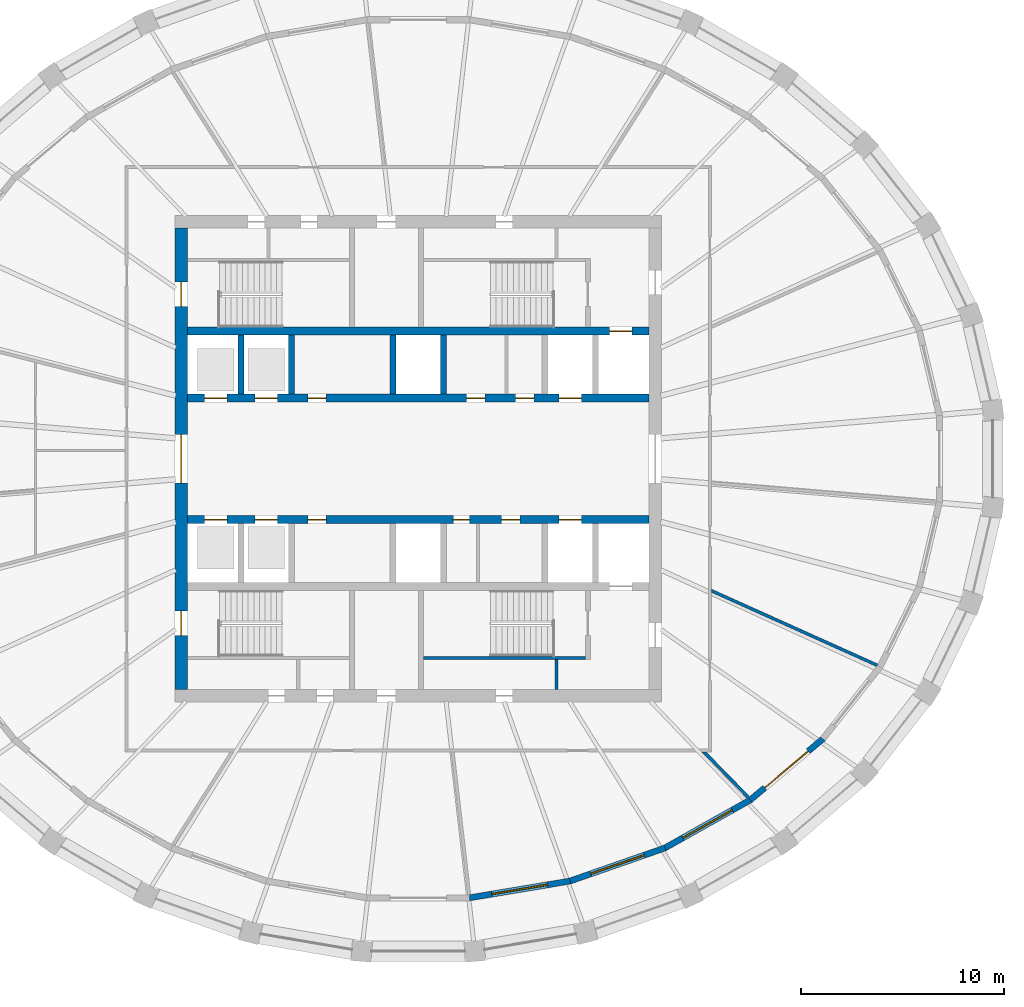
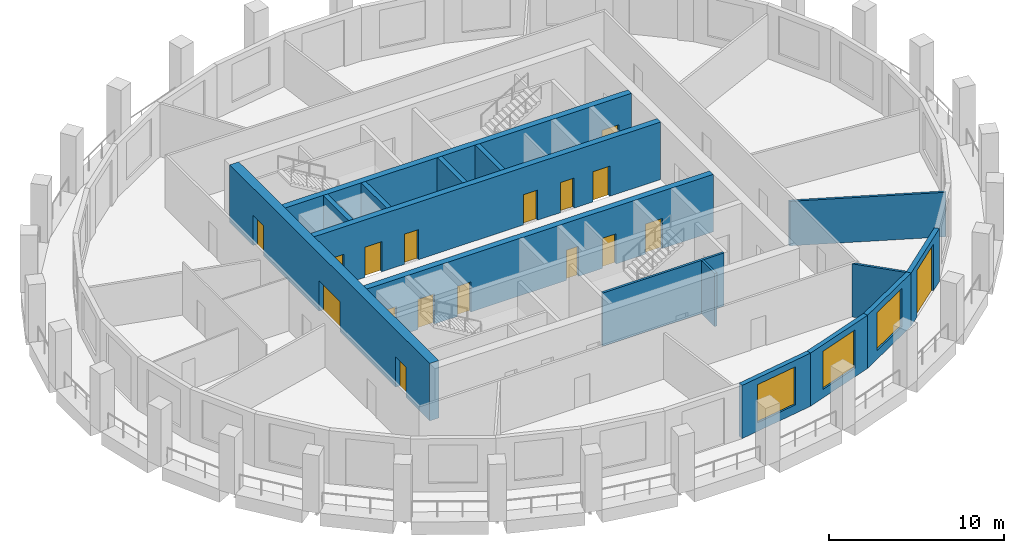
# One storey, part 4 of 10: 17 doors, 16 walls, 3 windows, 20 openings.
"""IFC4 building model written with IfcOpenShell, lengths in metres."""

import ifcopenshell
import ifcopenshell.guid

model = None  # the IFC model being written
_history = None  # IfcOwnerHistory: only IFC2X3 demands one
_inside = {}  # id of a spatial element -> (the spatial element, [elements in it])
_under = {}  # id of a project, library or spatial element -> (it, [spatial elements below it])
_declared = {}  # id of a project -> (the project, [libraries it declares])
_typed = {}  # id of a type object -> (the type object, [elements of that type])
_made_of = {}  # id of a material, layer set ... -> (it, [elements and type objects made of it])


def new_model(schema):
    """Start an empty IFC model of exactly this schema.

    Asked for "IFC4X3", IfcOpenShell would pick the latest addendum, in which some entities
    have other attributes; the version numbers below select the first issue.
    IFC2X3 requires an IfcOwnerHistory on every rooted entity: one is made here for all.
    """
    global model, _history
    if schema == "IFC4X3":
        model = ifcopenshell.file(schema_version=(4, 3, 0, 0))
    else:
        model = ifcopenshell.file(schema=schema)
    _inside.clear()
    _under.clear()
    _declared.clear()
    _typed.clear()
    _made_of.clear()
    _history = None
    if model.schema == "IFC2X3":
        org = make("IfcOrganization", Name="unknown")
        user = make(
            "IfcPersonAndOrganization",
            ThePerson=make("IfcPerson", FamilyName="unknown"),
            TheOrganization=org,
        )
        app = make(
            "IfcApplication",
            ApplicationDeveloper=org,
            Version="unknown",
            ApplicationFullName="unknown",
            ApplicationIdentifier="unknown",
        )
        _history = make(
            "IfcOwnerHistory",
            OwningUser=user,
            OwningApplication=app,
            ChangeAction="ADDED",
            CreationDate=0,
        )
    return model


def make(cls, **values):
    """One entity of the class cls with the attributes given. An attribute that is None is left unset."""
    return model.create_entity(
        cls, **{name: value for name, value in values.items() if value is not None}
    )


def rooted(cls, **values):
    """An entity with a GlobalId (a new one), such as an element, a storey or a relation."""
    return make(cls, GlobalId=ifcopenshell.guid.new(), OwnerHistory=_history, **values)


def si_unit(unit_type, name, prefix=None):
    """IfcSIUnit, for example si_unit("LENGTHUNIT", "METRE", prefix="MILLI")."""
    return make("IfcSIUnit", UnitType=unit_type, Prefix=prefix, Name=name)


def assignment(units):
    """IfcUnitAssignment: the units of a project."""
    return None if units is None else make("IfcUnitAssignment", Units=units)


def point(xyz):
    """IfcCartesianPoint."""
    return None if xyz is None else make("IfcCartesianPoint", Coordinates=xyz)


def direction(xyz):
    """IfcDirection."""
    return None if xyz is None else make("IfcDirection", DirectionRatios=xyz)


def frame(location, z_axis=None, x_axis=None):
    """IfcAxis2Placement3D, a coordinate frame: its origin and axes. An axis left out is left unset."""
    return make(
        "IfcAxis2Placement3D",
        Location=point(location),
        Axis=direction(z_axis),
        RefDirection=direction(x_axis),
    )


def frame_2d(location, x_axis=None):
    """IfcAxis2Placement2D, a coordinate frame in the plane: its origin and x axis."""
    return make(
        "IfcAxis2Placement2D", Location=point(location), RefDirection=direction(x_axis)
    )


def origin():
    """The frame at (0, 0, 0) with its axes left unset."""
    return frame((0.0, 0.0, 0.0))


def place(relative_to, where):
    """IfcLocalPlacement: puts the frame where relative to a parent placement (None: the world)."""
    return make(
        "IfcLocalPlacement", PlacementRelTo=relative_to, RelativePlacement=where
    )


def context(
    kind, dimensions, precision=None, world=None, true_north=None, identifier=None
):
    """IfcGeometricRepresentationContext, for example the 3D "Model" context."""
    return make(
        "IfcGeometricRepresentationContext",
        ContextIdentifier=identifier,
        ContextType=kind,
        CoordinateSpaceDimension=dimensions,
        Precision=precision,
        WorldCoordinateSystem=world,
        TrueNorth=true_north,
    )


def subcontext(parent, identifier, kind, view, scale=None):
    """IfcGeometricRepresentationSubContext, for example "Body" below "Model"."""
    return make(
        "IfcGeometricRepresentationSubContext",
        ContextIdentifier=identifier,
        ContextType=kind,
        ParentContext=parent,
        TargetScale=scale,
        TargetView=view,
    )


def project(units=None, contexts=None):
    """IfcProject with its units and contexts."""
    return rooted(
        "IfcProject",
        Name="project",
        RepresentationContexts=contexts,
        UnitsInContext=assignment(units),
    )


def spatial(cls, under=None, at=None, **own):
    """A site, building, storey or space (cls), placed at a placement, below another one or the project."""
    s = rooted(cls, ObjectPlacement=at, **own)
    if under is not None:
        _under.setdefault(under.id(), (under, []))[1].append(s)
    return s


def polyline(points):
    """IfcPolyline through the points."""
    return make("IfcPolyline", Points=[point(p) for p in points])


def profile(cls, at=None, kind="AREA", **sizes):
    """A parametric profile (cls). Its sizes go by their IFC names, for example OverallWidth=200.0."""
    return make(cls, ProfileType=kind, Position=at, **sizes)


def rectangle(**sizes):
    """IfcRectangleProfileDef."""
    return profile("IfcRectangleProfileDef", **sizes)


def outline(outer, holes=None, kind="AREA"):
    """IfcArbitraryClosedProfileDef: a profile drawn as a closed curve; with holes, ...WithVoids."""
    if holes is None:
        return make("IfcArbitraryClosedProfileDef", ProfileType=kind, OuterCurve=outer)
    return make(
        "IfcArbitraryProfileDefWithVoids",
        ProfileType=kind,
        OuterCurve=outer,
        InnerCurves=holes,
    )


def extrude(swept, where, along, depth):
    """IfcExtrudedAreaSolid: the profile swept, set in the frame where, extruded along a direction by depth."""
    return make(
        "IfcExtrudedAreaSolid",
        SweptArea=swept,
        Position=where,
        ExtrudedDirection=direction(along),
        Depth=depth,
    )


def shape(context_of_items, identifier, shape_type, items):
    """IfcShapeRepresentation: the items that make up one representation, for example the "Body"."""
    return make(
        "IfcShapeRepresentation",
        ContextOfItems=context_of_items,
        RepresentationIdentifier=identifier,
        RepresentationType=shape_type,
        Items=items,
    )


def material(Name=None, Category=None):
    """IfcMaterial."""
    return make("IfcMaterial", Name=Name, Category=Category)


def layer(
    of_material, thickness, ventilated=None, Name=None, Category=None, Priority=None
):
    """IfcMaterialLayer: one layer of a wall or slab, of a material (None: an air gap)."""
    return make(
        "IfcMaterialLayer",
        Material=of_material,
        LayerThickness=thickness,
        IsVentilated=ventilated,
        Name=Name,
        Category=Category,
        Priority=Priority,
    )


def layer_set(layers, Name=None):
    """IfcMaterialLayerSet."""
    return make("IfcMaterialLayerSet", MaterialLayers=layers, LayerSetName=Name)


def made_of(thing, what):
    """Note that an element or type object is made of a material, layer set ...; save() writes the relation."""
    if what is not None:
        _made_of.setdefault(what.id(), (what, []))[1].append(thing)
    return thing


def type_object(cls, material=None, **own):
    """A type object (cls), such as IfcWallType, which elements share."""
    return made_of(rooted(cls, **own), material)


def element(
    cls,
    number,
    at=None,
    inside=None,
    cuts=None,
    type_object=None,
    material=None,
    context=None,
    identifier="Body",
    shape_type=None,
    held_by="IfcProductDefinitionShape",
    body=None,
    shapes=None,
    **own,
):
    """One element of the class cls, such as IfcWall. Its Tag is "e" and its number.

    at: its placement. inside: the storey or other place that contains it. cuts: it is an
    opening in that element (IfcRelVoidsElement). A single representation is given by context,
    identifier, shape_type and body (its items); several are given by shapes. held_by: the class
    of the entity that holds the representations. save() writes the other relations.
    """
    e = rooted(cls, Tag="e%d" % number, ObjectPlacement=at, **own)
    if body is not None:
        shapes = [shape(context, identifier, shape_type, body)]
    if shapes is not None:
        e.Representation = make(held_by, Representations=shapes)
    if inside is not None:
        _inside.setdefault(inside.id(), (inside, []))[1].append(e)
    if cuts is not None:
        rooted(
            "IfcRelVoidsElement", RelatingBuildingElement=cuts, RelatedOpeningElement=e
        )
    if type_object is not None:
        _typed.setdefault(type_object.id(), (type_object, []))[1].append(e)
    return made_of(e, material)


def fill(opening, filler):
    """IfcRelFillsElement: the door or window that sits in an opening."""
    return rooted(
        "IfcRelFillsElement",
        RelatingOpeningElement=opening,
        RelatedBuildingElement=filler,
    )


def aggregate(whole, parts):
    """IfcRelAggregates: a whole, such as a stair, and the parts it consists of."""
    return rooted("IfcRelAggregates", RelatingObject=whole, RelatedObjects=parts)


def save(model, path):
    """Write the relations noted so far, then the file.

    IfcRelAggregates (storeys below a building ...), IfcRelContainedInSpatialStructure (elements
    in a storey), IfcRelDefinesByType, IfcRelAssociatesMaterial and IfcRelDeclares: one each for
    every whole, place, type object, material and project.
    """
    for whole, parts in _under.values():
        aggregate(whole, parts)
    for where, things in _inside.values():
        rooted(
            "IfcRelContainedInSpatialStructure",
            RelatedElements=things,
            RelatingStructure=where,
        )
    for kind, things in _typed.values():
        rooted("IfcRelDefinesByType", RelatedObjects=things, RelatingType=kind)
    for what, things in _made_of.values():
        rooted("IfcRelAssociatesMaterial", RelatedObjects=things, RelatingMaterial=what)
    for by, libraries in _declared.values():
        rooted("IfcRelDeclares", RelatingContext=by, RelatedDefinitions=libraries)
    model.write(path)


model = new_model("IFC4")

# Units and contexts
model_context = context("Model", 3, precision=1e-05, world=origin(), true_north=direction((0.0, 1.0)))
body_context = subcontext(model_context, "Body", "Model", "MODEL_VIEW")
ifc_project = project(units=[si_unit("LENGTHUNIT", "METRE"), si_unit("AREAUNIT", "SQUARE_METRE"), si_unit("VOLUMEUNIT", "CUBIC_METRE"), si_unit("PLANEANGLEUNIT", "RADIAN"), si_unit("MASSUNIT", "GRAM", prefix="KILO")], contexts=[model_context])

# Site, building, storey
site_placement = place(None, origin())
site = spatial("IfcSite", under=ifc_project, at=site_placement, CompositionType="ELEMENT")
building_placement = place(site_placement, origin())
building = spatial("IfcBuilding", under=site, at=building_placement, Name="Halqa Exchange Tower", CompositionType="ELEMENT")
storey_placement = place(building_placement, frame((0.0, 0.0, 320.300048828125)))
storey = spatial("IfcBuildingStorey", under=building, at=storey_placement, Name="L75", CompositionType="ELEMENT", Elevation=320.300048828125)

# Walls
ifc_material_1 = material(Name="Fire-rated gypsum board")
ifc_layer_1 = layer(ifc_material_1, 0.14990234375)
ifc_layer_set_1 = layer_set([ifc_layer_1], Name="Fire-rated gypsum board")
wall_type_1 = type_object("IfcWallType", Name="Fire partition EI 60 150", PredefinedType="PARTITIONING", material=ifc_layer_set_1)
wall_1_placement = place(storey_placement, frame((14.0625, -14.4228515625, 0.0), z_axis=(0.0, 0.0, 1.0), x_axis=(0.698596457998, -0.715515890021, 0.0)))
element("IfcWall", 1, at=wall_1_placement, inside=storey, type_object=wall_type_1, Name="L75-PWL-014", PredefinedType="PARTITIONING", context=body_context, shape_type="SweptSolid", body=[
    extrude(outline(polyline([(0.0, -0.074951171875), (1.594482421875, -0.074951171875), (3.18896484375, -0.074951171875), (3.18896484375, -0.07470703125), (3.18896484375, 0.074951171875), (1.66748046875, 0.074951171875), (0.14599609375, 0.074951171875), (0.0, -0.07470703125), (0.0, -0.074951171875)])), origin(), (0.0, 0.0, 1.0), 3.699951171875),
])
wall_2_placement = place(storey_placement, frame((14.444580078125, -6.5, 0.0), z_axis=(0.0, 0.0, 1.0), x_axis=(0.912043070278, -0.410094425662, 0.0)))
element("IfcWall", 2, at=wall_2_placement, inside=storey, type_object=wall_type_1, Name="L75-PWL-016", PredefinedType="PARTITIONING", context=body_context, shape_type="SweptSolid", body=[
    extrude(outline(polyline([(0.067138671875, -0.074951171875), (1.8525390625, -0.074951171875), (3.637939453125, -0.074951171875), (5.42333984375, -0.074951171875), (7.208740234375, -0.074951171875), (8.994140625, -0.074951171875), (9.013427734375, 0.000732421875), (9.015625, 0.066162109375), (9.015625, 0.074951171875), (7.21240234375, 0.074951171875), (5.409423828125, 0.074951171875), (3.606201171875, 0.074951171875), (1.80322265625, 0.074951171875), (0.0, 0.074951171875), (0.0, 0.07421875), (0.067138671875, -0.074951171875)])), origin(), (0.0, 0.0, 1.0), 3.099853515625),
])
ifc_material_2 = material(Name="Gypsum board")
ifc_layer_2 = layer(ifc_material_2, 0.14990234375)
ifc_layer_set_2 = layer_set([ifc_layer_2], Name="Gypsum board")
wall_type_2 = type_object("IfcWallType", Name="Penthouse riser wall 150 gypsum", PredefinedType="PARTITIONING", material=ifc_layer_set_2)
wall_3_placement = place(storey_placement, frame((6.824951171875, -11.39990234375, 0.0), z_axis=(0.0, 0.0, 1.0), x_axis=(0.0, 1.0, 0.0)))
element("IfcWall", 3, at=wall_3_placement, inside=storey, type_object=wall_type_2, Name="Firefighting lobby west wall S", PredefinedType="PARTITIONING", context=body_context, shape_type="SweptSolid", body=[
    extrude(rectangle(XDim=1.5, YDim=0.14990234375, at=frame_2d((0.75, 0.0))), origin(), (0.0, 0.0, 1.0), 3.699951171875),
])
ifc_material_3 = material(Name="Concrete C60/75", Category="concrete")
ifc_layer_3 = layer(ifc_material_3, 0.300048828125)
ifc_layer_set_3 = layer_set([ifc_layer_3], Name="Concrete C60/75")
wall_type_3 = type_object("IfcWallType", Name="RC core wall 300", PredefinedType="SHEAR", material=ifc_layer_set_3)
for number, where, z_axis, x_axis, name in (
    (4, (-8.75, 3.199951171875, 0.0), (0.0, 0.0, 1.0), (0.0, 1.0, 0.0), "Shaft divider N1"),
    (5, (-6.25, 3.199951171875, 0.0), (0.0, 0.0, 1.0), (0.0, 1.0, 0.0), "Shaft divider N2"),
    (6, (-1.25, 3.199951171875, 0.0), (0.0, 0.0, 1.0), (0.0, 1.0, 0.0), "Shaft divider N4"),
    (7, (1.25, 3.199951171875, 0.0), (0.0, 0.0, 1.0), (0.0, 1.0, 0.0), "Shaft divider N5"),
):
    element("IfcWall", number, at=place(storey_placement, frame(where, z_axis=z_axis, x_axis=x_axis)), inside=storey, type_object=wall_type_3, Name=name, PredefinedType="SHEAR", context=body_context, shape_type="SweptSolid", body=[
        extrude(rectangle(XDim=2.900146484375, YDim=0.300048828125, at=frame_2d((1.4501953125, 0.0))), origin(), (0.0, 0.0, 1.0), 4.0),
    ])

# Wall, openings, doors
ifc_layer_4 = layer(ifc_material_3, 0.39990234375)
ifc_layer_set_4 = layer_set([ifc_layer_4], Name="Concrete C60/75")
wall_type_4 = type_object("IfcWallType", Name="RC core wall 400 C60/75", PredefinedType="SHEAR", material=ifc_layer_set_4)
wall_4_placement = place(storey_placement, frame((-11.39990234375, 3.0, 0.0), z_axis=(0.0, 0.0, 1.0), x_axis=(1.0, 0.0, 0.0)))
wall_4 = element("IfcWall", 8, at=wall_4_placement, inside=storey, type_object=wall_type_4, Name="Lift row front wall N", PredefinedType="SHEAR", context=body_context, shape_type="SweptSolid", body=[
    extrude(rectangle(XDim=22.7998046875, YDim=0.39990234375, at=frame_2d((11.39990234375, 0.0))), origin(), (0.0, 0.0, 1.0), 4.0),
])
opening_1_placement = place(wall_4_placement, frame((0.85009765625, 0.0, 0.0)))
opening_1 = element("IfcOpeningElement", 9, at=opening_1_placement, cuts=wall_4, Name="Opening LD-HR1-T23", PredefinedType="OPENING", context=body_context, shape_type="SweptSolid", body=[
    extrude(rectangle(XDim=1.10009765625, YDim=2.10009765625, at=frame_2d((0.550048828125, 1.050048828125))), frame((0.0, 0.2119140625, 0.0), z_axis=(0.0, -1.0, 0.0), x_axis=(1.0, 0.0, 0.0)), (0.0, 0.0, 1.0), 0.423828125),
])
opening_2_placement = place(wall_4_placement, frame((3.35009765625, 0.0, 0.0)))
opening_2 = element("IfcOpeningElement", 10, at=opening_2_placement, cuts=wall_4, Name="Opening LD-HR2-T23", PredefinedType="OPENING", context=body_context, shape_type="SweptSolid", body=[
    extrude(rectangle(XDim=1.10009765625, YDim=2.10009765625, at=frame_2d((0.550048828125, 1.050048828125))), frame((0.0, 0.2119140625, 0.0), z_axis=(0.0, -1.0, 0.0), x_axis=(1.0, 0.0, 0.0)), (0.0, 0.0, 1.0), 0.423828125),
])
opening_3_placement = place(wall_4_placement, frame((18.35009765625, 0.0, 0.0)))
opening_3 = element("IfcOpeningElement", 11, at=opening_3_placement, cuts=wall_4, Name="Opening LD-SV1-T23", PredefinedType="OPENING", context=body_context, shape_type="SweptSolid", body=[
    extrude(rectangle(XDim=1.10009765625, YDim=2.10009765625, at=frame_2d((0.550048828125, 1.050048828125))), frame((0.0, 0.2119140625, 0.0), z_axis=(0.0, -1.0, 0.0), x_axis=(1.0, 0.0, 0.0)), (0.0, 0.0, 1.0), 0.423828125),
])
opening_4_placement = place(wall_4_placement, frame((13.78759765625, 0.0, 0.0)))
opening_4 = element("IfcOpeningElement", 12, at=opening_4_placement, cuts=wall_4, Name="Opening T23-C25", PredefinedType="OPENING", context=body_context, shape_type="SweptSolid", body=[
    extrude(rectangle(XDim=0.89990234375, YDim=2.10009765625, at=frame_2d((0.449951171875, 1.050048828125))), frame((0.0, 0.2119140625, 0.0), z_axis=(0.0, -1.0, 0.0), x_axis=(1.0, 0.0, 0.0)), (0.0, 0.0, 1.0), 0.423828125),
])
opening_5_placement = place(wall_4_placement, frame((16.21240234375, 0.0, 0.0)))
opening_5 = element("IfcOpeningElement", 13, at=opening_5_placement, cuts=wall_4, Name="Opening T23-C26", PredefinedType="OPENING", context=body_context, shape_type="SweptSolid", body=[
    extrude(rectangle(XDim=0.89990234375, YDim=2.10009765625, at=frame_2d((0.449951171875, 1.050048828125))), frame((0.0, 0.2119140625, 0.0), z_axis=(0.0, -1.0, 0.0), x_axis=(1.0, 0.0, 0.0)), (0.0, 0.0, 1.0), 0.423828125),
])
opening_6_placement = place(wall_4_placement, frame((5.949951171875, 0.0, 0.0)))
opening_6 = element("IfcOpeningElement", 14, at=opening_6_placement, cuts=wall_4, Name="Opening T23-C27", PredefinedType="OPENING", context=body_context, shape_type="SweptSolid", body=[
    extrude(rectangle(XDim=0.89990234375, YDim=2.10009765625, at=frame_2d((0.449951171875, 1.050048828125))), frame((0.0, 0.2119140625, 0.0), z_axis=(0.0, -1.0, 0.0), x_axis=(1.0, 0.0, 0.0)), (0.0, 0.0, 1.0), 0.423828125),
])
ifc_material_4 = material(Name="Timber fire door leaf", Category="wood")
door_type_1 = type_object("IfcDoorType", Name="Core room door FD30 900 x 2100", OperationType="SINGLE_SWING_LEFT", PredefinedType="DOOR", material=ifc_material_4)
door_1_placement = place(opening_4_placement, origin())
door_1 = element("IfcDoor", 15, at=door_1_placement, inside=storey, type_object=door_type_1, Name="Core room door", OperationType="SINGLE_SWING_RIGHT", OverallHeight=2.10009765625, OverallWidth=0.89990234375, PredefinedType="DOOR", context=body_context, shape_type="SweptSolid", body=[
    extrude(rectangle(XDim=0.89990234375, YDim=2.10009765625, at=frame_2d((0.449951171875, 1.050048828125))), frame((0.0, 0.02490234375, 0.0), z_axis=(0.0, -1.0, 0.0), x_axis=(1.0, 0.0, 0.0)), (0.0, 0.0, 1.0), 0.050048828125),
])
fill(opening_4, door_1)
door_2_placement = place(opening_5_placement, origin())
door_2 = element("IfcDoor", 16, at=door_2_placement, inside=storey, type_object=door_type_1, Name="Core room door", OperationType="SINGLE_SWING_RIGHT", OverallHeight=2.10009765625, OverallWidth=0.89990234375, PredefinedType="DOOR", context=body_context, shape_type="SweptSolid", body=[
    extrude(rectangle(XDim=0.89990234375, YDim=2.10009765625, at=frame_2d((0.449951171875, 1.050048828125))), frame((0.0, 0.02490234375, 0.0), z_axis=(0.0, -1.0, 0.0), x_axis=(1.0, 0.0, 0.0)), (0.0, 0.0, 1.0), 0.050048828125),
])
fill(opening_5, door_2)
door_3_placement = place(opening_6_placement, origin())
door_3 = element("IfcDoor", 17, at=door_3_placement, inside=storey, type_object=door_type_1, Name="Core room door", OperationType="SINGLE_SWING_RIGHT", OverallHeight=2.10009765625, OverallWidth=0.89990234375, PredefinedType="DOOR", context=body_context, shape_type="SweptSolid", body=[
    extrude(rectangle(XDim=0.89990234375, YDim=2.10009765625, at=frame_2d((0.449951171875, 1.050048828125))), frame((0.0, 0.02490234375, 0.0), z_axis=(0.0, -1.0, 0.0), x_axis=(1.0, 0.0, 0.0)), (0.0, 0.0, 1.0), 0.050048828125),
])
fill(opening_6, door_3)
ifc_material_5 = material(Name="Stainless steel", Category="steel")
door_type_2 = type_object("IfcDoorType", Name="Lift landing door 1100 x 2100", OperationType="SLIDING_TO_LEFT", PredefinedType="DOOR", material=ifc_material_5)
door_4_placement = place(opening_1_placement, origin())
door_4 = element("IfcDoor", 18, at=door_4_placement, inside=storey, type_object=door_type_2, Name="Lift landing door HR1", OperationType="SLIDING_TO_LEFT", OverallHeight=2.10009765625, OverallWidth=1.10009765625, PredefinedType="DOOR", context=body_context, shape_type="SweptSolid", body=[
    extrude(rectangle(XDim=1.10009765625, YDim=2.10009765625, at=frame_2d((0.550048828125, 1.050048828125))), frame((0.0, 0.02490234375, 0.0), z_axis=(0.0, -1.0, 0.0), x_axis=(1.0, 0.0, 0.0)), (0.0, 0.0, 1.0), 0.050048828125),
])
fill(opening_1, door_4)
door_5_placement = place(opening_2_placement, origin())
door_5 = element("IfcDoor", 19, at=door_5_placement, inside=storey, type_object=door_type_2, Name="Lift landing door HR2", OperationType="SLIDING_TO_LEFT", OverallHeight=2.10009765625, OverallWidth=1.10009765625, PredefinedType="DOOR", context=body_context, shape_type="SweptSolid", body=[
    extrude(rectangle(XDim=1.10009765625, YDim=2.10009765625, at=frame_2d((0.550048828125, 1.050048828125))), frame((0.0, 0.02490234375, 0.0), z_axis=(0.0, -1.0, 0.0), x_axis=(1.0, 0.0, 0.0)), (0.0, 0.0, 1.0), 0.050048828125),
])
fill(opening_2, door_5)
door_6_placement = place(opening_3_placement, origin())
door_6 = element("IfcDoor", 20, at=door_6_placement, inside=storey, type_object=door_type_2, Name="Lift landing door SV1", OperationType="SLIDING_TO_LEFT", OverallHeight=2.10009765625, OverallWidth=1.10009765625, PredefinedType="DOOR", context=body_context, shape_type="SweptSolid", body=[
    extrude(rectangle(XDim=1.10009765625, YDim=2.10009765625, at=frame_2d((0.550048828125, 1.050048828125))), frame((0.0, 0.02490234375, 0.0), z_axis=(0.0, -1.0, 0.0), x_axis=(1.0, 0.0, 0.0)), (0.0, 0.0, 1.0), 0.050048828125),
])
fill(opening_3, door_6)

# Wall, opening, door
wall_5_placement = place(storey_placement, frame((-11.39990234375, 6.300048828125, 0.0), z_axis=(0.0, 0.0, 1.0), x_axis=(1.0, 0.0, 0.0)))
wall_5 = element("IfcWall", 21, at=wall_5_placement, inside=storey, type_object=wall_type_4, Name="Lift row back wall N", PredefinedType="SHEAR", context=body_context, shape_type="SweptSolid", body=[
    extrude(rectangle(XDim=22.7998046875, YDim=0.39990234375, at=frame_2d((11.39990234375, 0.0))), origin(), (0.0, 0.0, 1.0), 4.0),
])
opening_7_placement = place(wall_5_placement, frame((20.85009765625, 0.0, 0.0)))
opening_7 = element("IfcOpeningElement", 22, at=opening_7_placement, cuts=wall_5, Name="Opening LD-FF1-T23", PredefinedType="OPENING", context=body_context, shape_type="SweptSolid", body=[
    extrude(rectangle(XDim=1.10009765625, YDim=2.10009765625, at=frame_2d((0.550048828125, 1.050048828125))), frame((0.0, 0.2119140625, 0.0), z_axis=(0.0, -1.0, 0.0), x_axis=(1.0, 0.0, 0.0)), (0.0, 0.0, 1.0), 0.423828125),
])
door_7_placement = place(opening_7_placement, origin())
door_7 = element("IfcDoor", 23, at=door_7_placement, inside=storey, type_object=door_type_2, Name="Lift landing door FF1", OperationType="SLIDING_TO_LEFT", OverallHeight=2.10009765625, OverallWidth=1.10009765625, PredefinedType="DOOR", context=body_context, shape_type="SweptSolid", body=[
    extrude(rectangle(XDim=1.10009765625, YDim=2.10009765625, at=frame_2d((0.550048828125, 1.050048828125))), frame((0.0, 0.02490234375, 0.0), z_axis=(0.0, -1.0, 0.0), x_axis=(1.0, 0.0, 0.0)), (0.0, 0.0, 1.0), 0.050048828125),
])
fill(opening_7, door_7)

# Wall, openings, doors
wall_6_placement = place(storey_placement, frame((-11.39990234375, -3.0, 0.0), z_axis=(0.0, 0.0, 1.0), x_axis=(1.0, 0.0, 0.0)))
wall_6 = element("IfcWall", 24, at=wall_6_placement, inside=storey, type_object=wall_type_4, Name="Lift row front wall S", PredefinedType="SHEAR", context=body_context, shape_type="SweptSolid", body=[
    extrude(rectangle(XDim=22.7998046875, YDim=0.39990234375, at=frame_2d((11.39990234375, 0.0))), origin(), (0.0, 0.0, 1.0), 4.0),
])
opening_8_placement = place(wall_6_placement, frame((0.85009765625, 0.0, 0.0)))
opening_8 = element("IfcOpeningElement", 25, at=opening_8_placement, cuts=wall_6, Name="Opening LD-HR3-T23", PredefinedType="OPENING", context=body_context, shape_type="SweptSolid", body=[
    extrude(rectangle(XDim=1.10009765625, YDim=2.10009765625, at=frame_2d((0.550048828125, 1.050048828125))), frame((0.0, 0.2119140625, 0.0), z_axis=(0.0, -1.0, 0.0), x_axis=(1.0, 0.0, 0.0)), (0.0, 0.0, 1.0), 0.423828125),
])
opening_9_placement = place(wall_6_placement, frame((3.35009765625, 0.0, 0.0)))
opening_9 = element("IfcOpeningElement", 26, at=opening_9_placement, cuts=wall_6, Name="Opening LD-HR4-T23", PredefinedType="OPENING", context=body_context, shape_type="SweptSolid", body=[
    extrude(rectangle(XDim=1.10009765625, YDim=2.10009765625, at=frame_2d((0.550048828125, 1.050048828125))), frame((0.0, 0.2119140625, 0.0), z_axis=(0.0, -1.0, 0.0), x_axis=(1.0, 0.0, 0.0)), (0.0, 0.0, 1.0), 0.423828125),
])
opening_10_placement = place(wall_6_placement, frame((18.35009765625, 0.0, 0.0)))
opening_10 = element("IfcOpeningElement", 27, at=opening_10_placement, cuts=wall_6, Name="Opening LD-SV2-T23", PredefinedType="OPENING", context=body_context, shape_type="SweptSolid", body=[
    extrude(rectangle(XDim=1.10009765625, YDim=2.10009765625, at=frame_2d((0.550048828125, 1.050048828125))), frame((0.0, 0.2119140625, 0.0), z_axis=(0.0, -1.0, 0.0), x_axis=(1.0, 0.0, 0.0)), (0.0, 0.0, 1.0), 0.423828125),
])
opening_11_placement = place(wall_6_placement, frame((13.137451171875, 0.0, 0.0)))
opening_11 = element("IfcOpeningElement", 28, at=opening_11_placement, cuts=wall_6, Name="Opening T23-C28", PredefinedType="OPENING", context=body_context, shape_type="SweptSolid", body=[
    extrude(rectangle(XDim=0.800048828125, YDim=2.10009765625, at=frame_2d((0.39990234375, 1.050048828125))), frame((0.0, 0.2119140625, 0.0), z_axis=(0.0, -1.0, 0.0), x_axis=(1.0, 0.0, 0.0)), (0.0, 0.0, 1.0), 0.423828125),
])
opening_12_placement = place(wall_6_placement, frame((15.512451171875, 0.0, 0.0)))
opening_12 = element("IfcOpeningElement", 29, at=opening_12_placement, cuts=wall_6, Name="Opening T23-C29", PredefinedType="OPENING", context=body_context, shape_type="SweptSolid", body=[
    extrude(rectangle(XDim=0.89990234375, YDim=2.10009765625, at=frame_2d((0.449951171875, 1.050048828125))), frame((0.0, 0.2119140625, 0.0), z_axis=(0.0, -1.0, 0.0), x_axis=(1.0, 0.0, 0.0)), (0.0, 0.0, 1.0), 0.423828125),
])
opening_13_placement = place(wall_6_placement, frame((5.949951171875, 0.0, 0.0)))
opening_13 = element("IfcOpeningElement", 30, at=opening_13_placement, cuts=wall_6, Name="Opening T23-C30", PredefinedType="OPENING", context=body_context, shape_type="SweptSolid", body=[
    extrude(rectangle(XDim=0.89990234375, YDim=2.10009765625, at=frame_2d((0.449951171875, 1.050048828125))), frame((0.0, 0.2119140625, 0.0), z_axis=(0.0, -1.0, 0.0), x_axis=(1.0, 0.0, 0.0)), (0.0, 0.0, 1.0), 0.423828125),
])
door_8_placement = place(opening_12_placement, frame((0.89990234375, 0.0, 0.0), z_axis=(0.0, 0.0, 1.0), x_axis=(-1.0, 0.0, 0.0)))
door_8 = element("IfcDoor", 31, at=door_8_placement, inside=storey, type_object=door_type_1, Name="Core room door", OperationType="SINGLE_SWING_RIGHT", OverallHeight=2.10009765625, OverallWidth=0.89990234375, PredefinedType="DOOR", context=body_context, shape_type="SweptSolid", body=[
    extrude(rectangle(XDim=0.89990234375, YDim=2.10009765625, at=frame_2d((0.449951171875, 1.050048828125))), frame((0.0, 0.02490234375, 0.0), z_axis=(0.0, -1.0, 0.0), x_axis=(1.0, 0.0, 0.0)), (0.0, 0.0, 1.0), 0.050048828125),
])
fill(opening_12, door_8)
door_9_placement = place(opening_13_placement, frame((0.89990234375, 0.0, 0.0), z_axis=(0.0, 0.0, 1.0), x_axis=(-1.0, 0.0, 0.0)))
door_9 = element("IfcDoor", 32, at=door_9_placement, inside=storey, type_object=door_type_1, Name="Core room door", OperationType="SINGLE_SWING_LEFT", OverallHeight=2.10009765625, OverallWidth=0.89990234375, PredefinedType="DOOR", context=body_context, shape_type="SweptSolid", body=[
    extrude(rectangle(XDim=0.89990234375, YDim=2.10009765625, at=frame_2d((0.449951171875, 1.050048828125))), frame((0.0, 0.02490234375, 0.0), z_axis=(0.0, -1.0, 0.0), x_axis=(1.0, 0.0, 0.0)), (0.0, 0.0, 1.0), 0.050048828125),
])
fill(opening_13, door_9)
door_10_placement = place(opening_8_placement, origin())
door_10 = element("IfcDoor", 33, at=door_10_placement, inside=storey, type_object=door_type_2, Name="Lift landing door HR3", OperationType="SLIDING_TO_LEFT", OverallHeight=2.10009765625, OverallWidth=1.10009765625, PredefinedType="DOOR", context=body_context, shape_type="SweptSolid", body=[
    extrude(rectangle(XDim=1.10009765625, YDim=2.10009765625, at=frame_2d((0.550048828125, 1.050048828125))), frame((0.0, 0.02490234375, 0.0), z_axis=(0.0, -1.0, 0.0), x_axis=(1.0, 0.0, 0.0)), (0.0, 0.0, 1.0), 0.050048828125),
])
fill(opening_8, door_10)
door_11_placement = place(opening_9_placement, origin())
door_11 = element("IfcDoor", 34, at=door_11_placement, inside=storey, type_object=door_type_2, Name="Lift landing door HR4", OperationType="SLIDING_TO_LEFT", OverallHeight=2.10009765625, OverallWidth=1.10009765625, PredefinedType="DOOR", context=body_context, shape_type="SweptSolid", body=[
    extrude(rectangle(XDim=1.10009765625, YDim=2.10009765625, at=frame_2d((0.550048828125, 1.050048828125))), frame((0.0, 0.02490234375, 0.0), z_axis=(0.0, -1.0, 0.0), x_axis=(1.0, 0.0, 0.0)), (0.0, 0.0, 1.0), 0.050048828125),
])
fill(opening_9, door_11)
door_12_placement = place(opening_10_placement, origin())
door_12 = element("IfcDoor", 35, at=door_12_placement, inside=storey, type_object=door_type_2, Name="Lift landing door SV2", OperationType="SLIDING_TO_LEFT", OverallHeight=2.10009765625, OverallWidth=1.10009765625, PredefinedType="DOOR", context=body_context, shape_type="SweptSolid", body=[
    extrude(rectangle(XDim=1.10009765625, YDim=2.10009765625, at=frame_2d((0.550048828125, 1.050048828125))), frame((0.0, 0.02490234375, 0.0), z_axis=(0.0, -1.0, 0.0), x_axis=(1.0, 0.0, 0.0)), (0.0, 0.0, 1.0), 0.050048828125),
])
fill(opening_10, door_12)
ifc_material_6 = material(Name="Steel fire door leaf", Category="steel")
door_type_3 = type_object("IfcDoorType", Name="Riser door FD60 800 x 2100", OperationType="SINGLE_SWING_LEFT", PredefinedType="DOOR", material=ifc_material_6)
door_13_placement = place(opening_11_placement, frame((0.800048828125, 0.0, 0.0), z_axis=(0.0, 0.0, 1.0), x_axis=(-1.0, 0.0, 0.0)))
door_13 = element("IfcDoor", 36, at=door_13_placement, inside=storey, type_object=door_type_3, Name="Core room door", OperationType="SINGLE_SWING_RIGHT", OverallHeight=2.10009765625, OverallWidth=0.800048828125, PredefinedType="DOOR", context=body_context, shape_type="SweptSolid", body=[
    extrude(rectangle(XDim=0.800048828125, YDim=2.10009765625, at=frame_2d((0.39990234375, 1.050048828125))), frame((0.0, 0.02490234375, 0.0), z_axis=(0.0, -1.0, 0.0), x_axis=(1.0, 0.0, 0.0)), (0.0, 0.0, 1.0), 0.050048828125),
])
fill(opening_11, door_13)

ifc_layer_5 = layer(ifc_material_3, 0.60009765625)
ifc_layer_set_5 = layer_set([ifc_layer_5], Name="Concrete C60/75")
wall_type_5 = type_object("IfcWallType", Name="RC core wall 600 C60/75", PredefinedType="SHEAR", material=ifc_layer_set_5)
wall_7_placement = place(storey_placement, frame((-11.699951171875, -11.39990234375, 0.0), z_axis=(0.0, 0.0, 1.0), x_axis=(0.0, 1.0, 0.0)))
wall_7 = element("IfcWall", 37, at=wall_7_placement, inside=storey, type_object=wall_type_5, Name="Core wall west", PredefinedType="SHEAR", context=body_context, shape_type="SweptSolid", body=[
    extrude(rectangle(XDim=22.7998046875, YDim=0.60009765625, at=frame_2d((11.39990234375, 0.0))), origin(), (0.0, 0.0, 1.0), 4.0),
])
opening_14_placement = place(wall_7_placement, frame((10.199951171875, 0.0, 0.0)))
opening_14 = element("IfcOpeningElement", 38, at=opening_14_placement, cuts=wall_7, Name="Opening T23-C09", PredefinedType="OPENING", context=body_context, shape_type="SweptSolid", body=[
    extrude(rectangle(XDim=2.39990234375, YDim=2.10009765625, at=frame_2d((1.199951171875, 1.050048828125))), frame((0.0, 0.31201171875, 0.0), z_axis=(0.0, -1.0, 0.0), x_axis=(1.0, 0.0, 0.0)), (0.0, 0.0, 1.0), 0.6240234375),
])
opening_15_placement = place(wall_7_placement, frame((18.925048828125, 0.0, 0.0)))
opening_15 = element("IfcOpeningElement", 39, at=opening_15_placement, cuts=wall_7, Name="Opening T23-C11", PredefinedType="OPENING", context=body_context, shape_type="SweptSolid", body=[
    extrude(rectangle(XDim=1.199951171875, YDim=2.10009765625, at=frame_2d((0.60009765625, 1.050048828125))), frame((0.0, 0.31201171875, 0.0), z_axis=(0.0, -1.0, 0.0), x_axis=(1.0, 0.0, 0.0)), (0.0, 0.0, 1.0), 0.6240234375),
])
opening_16_placement = place(wall_7_placement, frame((2.675048828125, 0.0, 0.0)))
opening_16 = element("IfcOpeningElement", 40, at=opening_16_placement, cuts=wall_7, Name="Opening T23-C13", PredefinedType="OPENING", context=body_context, shape_type="SweptSolid", body=[
    extrude(rectangle(XDim=1.199951171875, YDim=2.10009765625, at=frame_2d((0.60009765625, 1.050048828125))), frame((0.0, 0.31201171875, 0.0), z_axis=(0.0, -1.0, 0.0), x_axis=(1.0, 0.0, 0.0)), (0.0, 0.0, 1.0), 0.6240234375),
])
door_type_4 = type_object("IfcDoorType", Name="Lobby double door FD60 2400 x 2100", OperationType="DOUBLE_DOOR_SINGLE_SWING", PredefinedType="DOOR", material=ifc_material_6)
door_14_placement = place(opening_14_placement, frame((2.39990234375, 0.0, 0.0), z_axis=(0.0, 0.0, 1.0), x_axis=(-1.0, 0.0, 0.0)))
door_14 = element("IfcDoor", 41, at=door_14_placement, inside=storey, type_object=door_type_4, Name="Lift lobby double door", OperationType="DOUBLE_DOOR_SINGLE_SWING", OverallHeight=2.10009765625, OverallWidth=2.39990234375, PredefinedType="DOOR", context=body_context, shape_type="SweptSolid", body=[
    extrude(rectangle(XDim=2.39990234375, YDim=2.10009765625, at=frame_2d((1.199951171875, 1.050048828125))), frame((0.0, 0.02490234375, 0.0), z_axis=(0.0, -1.0, 0.0), x_axis=(1.0, 0.0, 0.0)), (0.0, 0.0, 1.0), 0.050048828125),
])
fill(opening_14, door_14)
door_type_5 = type_object("IfcDoorType", Name="Stair door FD90 1200 x 2100", OperationType="SINGLE_SWING_LEFT", PredefinedType="DOOR", material=ifc_material_6)
door_15_placement = place(opening_15_placement, frame((1.199951171875, 0.0, 0.0), z_axis=(0.0, 0.0, 1.0), x_axis=(-1.0, 0.0, 0.0)))
door_15 = element("IfcDoor", 42, at=door_15_placement, inside=storey, type_object=door_type_5, Name="Stair door ST1", OperationType="SINGLE_SWING_LEFT", OverallHeight=2.10009765625, OverallWidth=1.199951171875, PredefinedType="DOOR", context=body_context, shape_type="SweptSolid", body=[
    extrude(rectangle(XDim=1.199951171875, YDim=2.10009765625, at=frame_2d((0.60009765625, 1.050048828125))), frame((0.0, 0.02490234375, 0.0), z_axis=(0.0, -1.0, 0.0), x_axis=(1.0, 0.0, 0.0)), (0.0, 0.0, 1.0), 0.050048828125),
])
fill(opening_15, door_15)
door_16_placement = place(opening_16_placement, frame((1.199951171875, 0.0, 0.0), z_axis=(0.0, 0.0, 1.0), x_axis=(-1.0, 0.0, 0.0)))
door_16 = element("IfcDoor", 43, at=door_16_placement, inside=storey, type_object=door_type_5, Name="Stair door ST3", OperationType="SINGLE_SWING_LEFT", OverallHeight=2.10009765625, OverallWidth=1.199951171875, PredefinedType="DOOR", context=body_context, shape_type="SweptSolid", body=[
    extrude(rectangle(XDim=1.199951171875, YDim=2.10009765625, at=frame_2d((0.60009765625, 1.050048828125))), frame((0.0, 0.02490234375, 0.0), z_axis=(0.0, -1.0, 0.0), x_axis=(1.0, 0.0, 0.0)), (0.0, 0.0, 1.0), 0.050048828125),
])
fill(opening_16, door_16)

# Wall
ifc_material_7 = material(Name="Concrete C30/37", Category="concrete")
ifc_layer_6 = layer(ifc_material_7, 0.14990234375)
ifc_layer_set_6 = layer_set([ifc_layer_6], Name="Concrete C30/37")
wall_type_6 = type_object("IfcWallType", Name="RC stair wall 150 C30/37", PredefinedType="SHEAR", material=ifc_layer_set_6)
wall_8_placement = place(storey_placement, frame((0.25, -9.824951171875, 0.0), z_axis=(0.0, 0.0, 1.0), x_axis=(1.0, 0.0, 0.0)))
element("IfcWall", 44, at=wall_8_placement, inside=storey, type_object=wall_type_6, Name="Stair ST2 north wall S", PredefinedType="SHEAR", context=body_context, shape_type="SweptSolid", body=[
    extrude(rectangle(XDim=8.0, YDim=0.14990234375, at=frame_2d((4.0, 0.0))), origin(), (0.0, 0.0, 1.0), 3.699951171875),
])

# Wall, opening, window
ifc_material_8 = material(Name="Limestone cladding", Category="masonry")
ifc_layer_7 = layer(ifc_material_8, 0.0400390625)
ifc_material_9 = material(Name="Ventilated cavity")
ifc_layer_8 = layer(ifc_material_9, 0.030029296875, ventilated=True)
ifc_material_10 = material(Name="Mineral wool insulation")
ifc_layer_9 = layer(ifc_material_10, 0.10009765625)
ifc_layer_10 = layer(ifc_material_7, 0.10009765625)
ifc_material_11 = material(Name="Internal plaster")
ifc_layer_11 = layer(ifc_material_11, 0.030029296875)
ifc_layer_set_7 = layer_set([ifc_layer_7, ifc_layer_8, ifc_layer_9, ifc_layer_10, ifc_layer_11], Name="Stone-faced insulated wall 300")
wall_type_7 = type_object("IfcWallType", Name="Stone-faced insulated wall 300", PredefinedType="STANDARD", material=ifc_layer_set_7)
wall_9_placement = place(storey_placement, frame((2.531494140625, -21.674560546875, 0.0), z_axis=(0.0, 0.0, 1.0), x_axis=(0.986269147983, 0.165145898335, 0.0)))
wall_9 = element("IfcWall", 45, at=wall_9_placement, inside=storey, type_object=wall_type_7, Name="Glass-line wall 25", PredefinedType="STANDARD", context=body_context, shape_type="SweptSolid", body=[
    extrude(outline(polyline([(-0.012451171875, -0.14990234375), (5.0478515625, -0.14990234375), (5.0224609375, 0.14990234375), (0.012451171875, 0.14990234375), (-0.012451171875, -0.14990234375)])), origin(), (0.0, 0.0, 1.0), 3.699951171875),
])
opening_17_placement = place(wall_9_placement, frame((1.11767578125, 0.0, 0.60009765625)))
opening_17 = element("IfcOpeningElement", 46, at=opening_17_placement, cuts=wall_9, Name="Opening W-F4-25", PredefinedType="OPENING", context=body_context, shape_type="SweptSolid", body=[
    extrude(rectangle(XDim=2.800048828125, YDim=2.64990234375, at=frame_2d((1.39990234375, 1.324951171875))), frame((0.0, 0.162109375, 0.0), z_axis=(0.0, -1.0, 0.0), x_axis=(1.0, 0.0, 0.0)), (0.0, 0.0, 1.0), 0.323974609375),
])
ifc_material_12 = material(Name="Clear low-emissivity glass in aluminium frame", Category="aluminium")
window_type = type_object("IfcWindowType", Name="Fixed clear glazed window 2800 x 2650", PartitioningType="DOUBLE_PANEL_VERTICAL", PredefinedType="WINDOW", material=ifc_material_12)
window_1_placement = place(opening_17_placement, origin())
window_1 = element("IfcWindow", 47, at=window_1_placement, inside=storey, type_object=window_type, Name="Window 4", OverallHeight=2.64990234375, OverallWidth=2.800048828125, PartitioningType="DOUBLE_PANEL_VERTICAL", PredefinedType="WINDOW", context=body_context, shape_type="SweptSolid", body=[
    extrude(rectangle(XDim=2.800048828125, YDim=2.64990234375, at=frame_2d((1.39990234375, 1.324951171875))), frame((0.0, 0.030029296875, 0.0), z_axis=(0.0, -1.0, 0.0), x_axis=(1.0, 0.0, 0.0)), (0.0, 0.0, 1.0), 0.06005859375),
])
fill(opening_17, window_1)

wall_10_placement = place(storey_placement, frame((7.49755859375, -20.843017578125, 0.0), z_axis=(0.0, 0.0, 1.0), x_axis=(0.944273917508, 0.329160703479, 0.0)))
wall_10 = element("IfcWall", 48, at=wall_10_placement, inside=storey, type_object=wall_type_7, Name="Glass-line wall 26", PredefinedType="STANDARD", context=body_context, shape_type="SweptSolid", body=[
    extrude(outline(polyline([(-0.0126953125, -0.14990234375), (4.968505859375, -0.14990234375), (4.942138671875, 0.14990234375), (0.0126953125, 0.14990234375), (-0.0126953125, -0.14990234375)])), origin(), (0.0, 0.0, 1.0), 3.699951171875),
])
opening_18_placement = place(wall_10_placement, frame((1.07763671875, 0.0, 0.60009765625)))
opening_18 = element("IfcOpeningElement", 49, at=opening_18_placement, cuts=wall_10, Name="Opening W-F4-26", PredefinedType="OPENING", context=body_context, shape_type="SweptSolid", body=[
    extrude(rectangle(XDim=2.800048828125, YDim=2.64990234375, at=frame_2d((1.39990234375, 1.324951171875))), frame((0.0, 0.162109375, 0.0), z_axis=(0.0, -1.0, 0.0), x_axis=(1.0, 0.0, 0.0)), (0.0, 0.0, 1.0), 0.323974609375),
])
window_2_placement = place(opening_18_placement, origin())
window_2 = element("IfcWindow", 50, at=window_2_placement, inside=storey, type_object=window_type, Name="Window 4", OverallHeight=2.64990234375, OverallWidth=2.800048828125, PartitioningType="DOUBLE_PANEL_VERTICAL", PredefinedType="WINDOW", context=body_context, shape_type="SweptSolid", body=[
    extrude(rectangle(XDim=2.800048828125, YDim=2.64990234375, at=frame_2d((1.39990234375, 1.324951171875))), frame((0.0, 0.030029296875, 0.0), z_axis=(0.0, -1.0, 0.0), x_axis=(1.0, 0.0, 0.0)), (0.0, 0.0, 1.0), 0.06005859375),
])
fill(opening_18, window_2)

wall_11_placement = place(storey_placement, frame((12.1767578125, -19.2119140625, 0.0), z_axis=(0.0, 0.0, 1.0), x_axis=(0.871651071333, 0.49012693238, 0.0)))
wall_11 = element("IfcWall", 51, at=wall_11_placement, inside=storey, type_object=wall_type_7, Name="Glass-line wall 27", PredefinedType="STANDARD", context=body_context, shape_type="SweptSolid", body=[
    extrude(outline(polyline([(-0.01318359375, -0.14990234375), (4.847412109375, -0.14990234375), (4.819091796875, 0.14990234375), (0.01318359375, 0.14990234375), (-0.01318359375, -0.14990234375)])), origin(), (0.0, 0.0, 1.0), 3.699951171875),
])
opening_19_placement = place(wall_11_placement, frame((1.0166015625, 0.0, 0.60009765625)))
opening_19 = element("IfcOpeningElement", 52, at=opening_19_placement, cuts=wall_11, Name="Opening W-F4-27", PredefinedType="OPENING", context=body_context, shape_type="SweptSolid", body=[
    extrude(rectangle(XDim=2.800048828125, YDim=2.64990234375, at=frame_2d((1.39990234375, 1.324951171875))), frame((0.0, 0.162109375, 0.0), z_axis=(0.0, -1.0, 0.0), x_axis=(1.0, 0.0, 0.0)), (0.0, 0.0, 1.0), 0.323974609375),
])
window_3_placement = place(opening_19_placement, origin())
window_3 = element("IfcWindow", 53, at=window_3_placement, inside=storey, type_object=window_type, Name="Window 4", OverallHeight=2.64990234375, OverallWidth=2.800048828125, PartitioningType="DOUBLE_PANEL_VERTICAL", PredefinedType="WINDOW", context=body_context, shape_type="SweptSolid", body=[
    extrude(rectangle(XDim=2.800048828125, YDim=2.64990234375, at=frame_2d((1.39990234375, 1.324951171875))), frame((0.0, 0.030029296875, 0.0), z_axis=(0.0, -1.0, 0.0), x_axis=(1.0, 0.0, 0.0)), (0.0, 0.0, 1.0), 0.06005859375),
])
fill(opening_19, window_3)

# Wall, opening, door
wall_12_placement = place(storey_placement, frame((16.3896484375, -16.843017578125, 0.0), z_axis=(0.0, 0.0, 1.0), x_axis=(0.765128700347, 0.643877373344, 0.0)))
wall_12 = element("IfcWall", 54, at=wall_12_placement, inside=storey, type_object=wall_type_7, Name="Glass-line wall 28", PredefinedType="STANDARD", context=body_context, shape_type="SweptSolid", body=[
    extrude(outline(polyline([(-0.01416015625, -0.14990234375), (4.70068359375, -0.14990234375), (4.67041015625, 0.14990234375), (0.01416015625, 0.14990234375), (-0.01416015625, -0.14990234375)])), origin(), (0.0, 0.0, 1.0), 3.699951171875),
])
opening_20_placement = place(wall_12_placement, frame((0.942626953125, 0.0, 0.0)))
opening_20 = element("IfcOpeningElement", 55, at=opening_20_placement, cuts=wall_12, Name="Opening LG-F4-07", PredefinedType="OPENING", context=body_context, shape_type="SweptSolid", body=[
    extrude(rectangle(XDim=2.800048828125, YDim=3.25, at=frame_2d((1.39990234375, 1.625))), frame((0.0, 0.162109375, 0.0), z_axis=(0.0, -1.0, 0.0), x_axis=(1.0, 0.0, 0.0)), (0.0, 0.0, 1.0), 0.323974609375),
])
door_type_6 = type_object("IfcDoorType", Name="Glazed sliding loggia door 2800 x 3250", OperationType="DOUBLE_DOOR_SLIDING", PredefinedType="DOOR", material=ifc_material_12)
door_17_placement = place(opening_20_placement, origin())
door_17 = element("IfcDoor", 56, at=door_17_placement, inside=storey, type_object=door_type_6, Name="Loggia door 7", OperationType="DOUBLE_DOOR_SLIDING", OverallHeight=3.25, OverallWidth=2.800048828125, PredefinedType="DOOR", context=body_context, shape_type="SweptSolid", body=[
    extrude(rectangle(XDim=2.800048828125, YDim=3.25, at=frame_2d((1.39990234375, 1.625))), frame((0.0, 0.02490234375, 0.0), z_axis=(0.0, -1.0, 0.0), x_axis=(1.0, 0.0, 0.0)), (0.0, 0.0, 1.0), 0.050048828125),
])
fill(opening_20, door_17)

save(model, "model.ifc")
